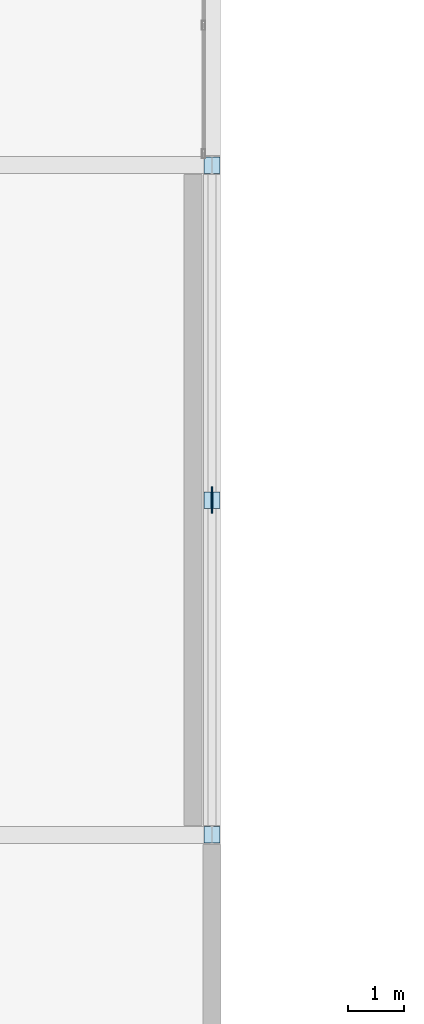
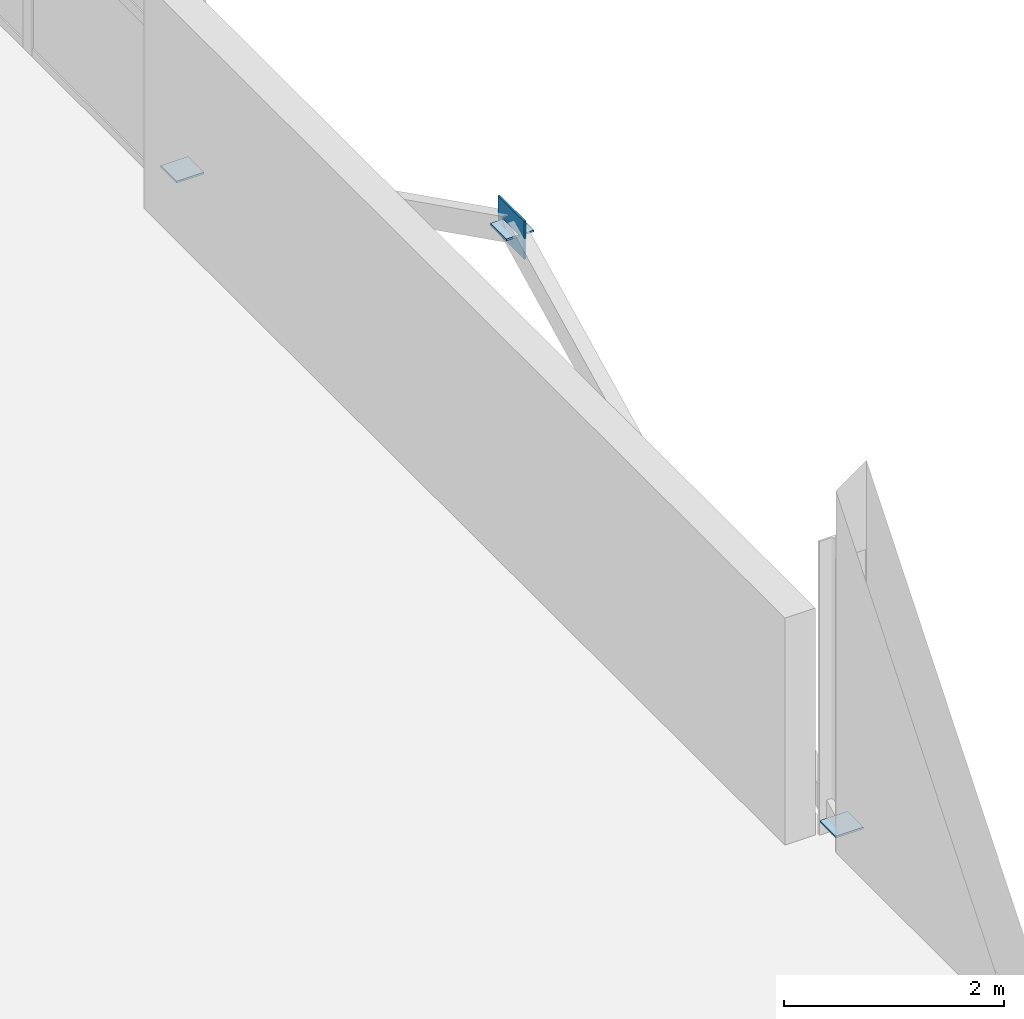
# One storey, part 91 of 103: 4 plates.
"""IFC4 building model written with IfcOpenShell, lengths in metres."""

from ifc_helpers import new_model, si_unit, direction, frame, origin, origin_2d, place, context, subcontext, project, spatial, rectangle, extrude, material, layer, layer_set, type_object, element, save


model = new_model("IFC4")

# Units and contexts
model_context = context("Model", 3, precision=1e-05, world=origin(), true_north=direction((0.0, 1.0)))
body_context = subcontext(model_context, "Body", "Model", "MODEL_VIEW")
ifc_project = project(units=[si_unit("LENGTHUNIT", "METRE"), si_unit("AREAUNIT", "SQUARE_METRE"), si_unit("VOLUMEUNIT", "CUBIC_METRE"), si_unit("PLANEANGLEUNIT", "RADIAN"), si_unit("MASSUNIT", "GRAM", prefix="KILO")], contexts=[model_context])

# Site, building, storey
site_placement = place(None, origin())
site = spatial("IfcSite", under=ifc_project, at=site_placement, CompositionType="ELEMENT")
building_placement = place(site_placement, origin())
building = spatial("IfcBuilding", under=site, at=building_placement, Name="Veltarok Museum of Natural Sciences", CompositionType="ELEMENT")
storey_placement = place(building_placement, frame((0.0, 0.0, 21.89990234375)))
storey = spatial("IfcBuildingStorey", under=building, at=storey_placement, Name="L04", CompositionType="ELEMENT", Elevation=21.89990234375)

# Plates
ifc_material = material(Name="Steel S355J2", Category="steel")
ifc_layer_1 = layer(ifc_material, 0.02001953125)
ifc_layer_set_1 = layer_set([ifc_layer_1], Name="Steel S355J2")
plate_type_1 = type_object("IfcPlateType", Name="Hollow End Closure Plate D290x20", PredefinedType="USERDEFINED", material=ifc_layer_set_1)
for number, where, z_axis, x_axis, name in (
    (1, (98.800048828125, 36.003662109375, 0.141845703125), (0.0, 0.0, 1.0), (0.0, 1.0, 0.0), "End Cap Plate CP-273 456"),
    (2, (98.800048828125, 41.996337890625, 3.13818359375), (0.0, 0.0, 1.0), (0.0, 1.0, 0.0), "End Cap Plate CP-273 457"),
    (3, (98.800048828125, 47.996337890625, 0.141845703125), (0.0, 0.0, 1.0), (0.0, 1.0, 0.0), "End Cap Plate CP-273 458"),
):
    element("IfcPlate", number, at=place(storey_placement, frame(where, z_axis=z_axis, x_axis=x_axis)), inside=storey, type_object=plate_type_1, Name=name, ObjectType="END CAP PLATE", PredefinedType="USERDEFINED", context=body_context, shape_type="SweptSolid", body=[
        extrude(rectangle(XDim=0.2900390625, YDim=0.2900390625, at=origin_2d()), origin(), (0.0, 0.0, 1.0), 0.02001953125),
    ])
ifc_layer_2 = layer(ifc_material, 0.02001953125)
ifc_layer_set_2 = layer_set([ifc_layer_2], Name="Steel S355J2")
plate_type_2 = type_object("IfcPlateType", Name="Lateral Brace Gusset Node Plate BN1", PredefinedType="USERDEFINED", material=ifc_layer_set_2)
plate_placement = place(storey_placement, frame((98.800048828125, 42.0, 2.940185546875), z_axis=(0.0, 0.0, 1.0), x_axis=(1.0, 0.0, 0.0)))
element("IfcPlate", 4, at=plate_placement, inside=storey, type_object=plate_type_2, Name="Lateral Brace Apex Node BN1 31", ObjectType="GUSSET PLATE", PredefinedType="USERDEFINED", context=body_context, shape_type="SweptSolid", body=[
    extrude(rectangle(XDim=0.02001953125, YDim=0.47998046875, at=origin_2d()), origin(), (0.0, 0.0, 1.0), 0.419921875),
])

save(model, "model.ifc")
